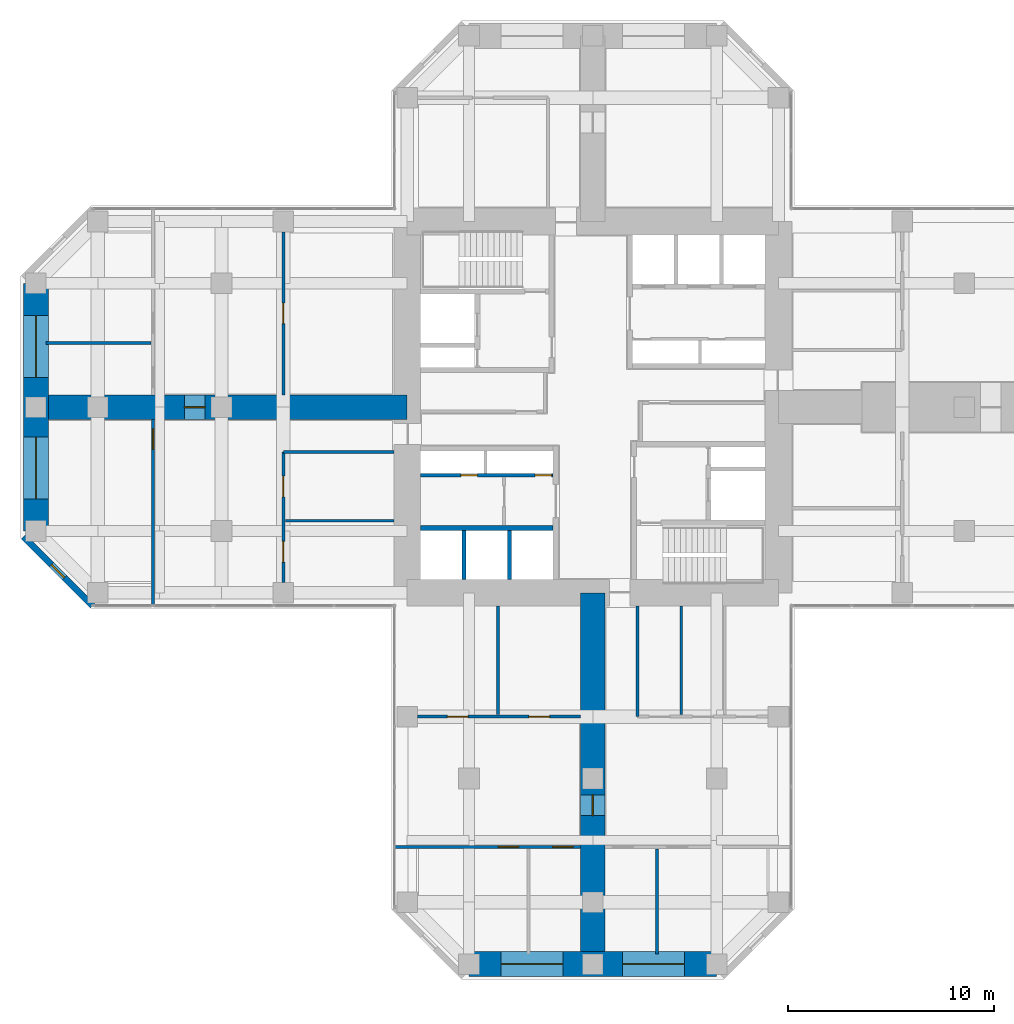
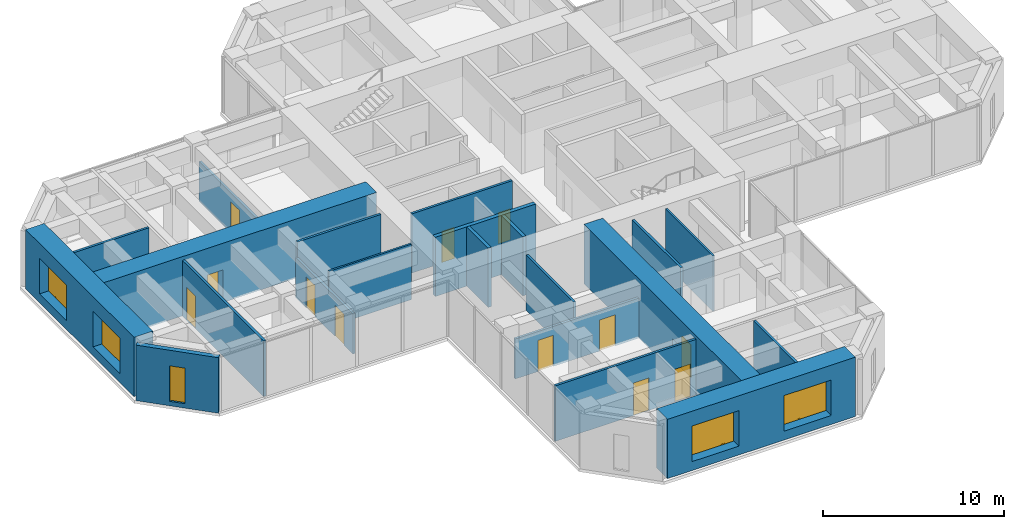
# One storey, part 8 of 13: 21 walls, 12 doors, 5 windows, 17 openings.
"""IFC4 building model written with IfcOpenShell, lengths in metres."""

from ifc_helpers import new_model, si_unit, direction, frame, frame_2d, origin, place, context, subcontext, project, spatial, rectangle, hollow_rectangle, extrude, material, layer, layer_set, constituent, constituent_set, type_object, element, fill, save


model = new_model("IFC4")

# Units and contexts
model_context = context("Model", 3, precision=1e-05, world=origin(), true_north=direction((0.0, 1.0)))
body_context = subcontext(model_context, "Body", "Model", "MODEL_VIEW")
ifc_project = project(units=[si_unit("LENGTHUNIT", "METRE"), si_unit("AREAUNIT", "SQUARE_METRE"), si_unit("VOLUMEUNIT", "CUBIC_METRE"), si_unit("PLANEANGLEUNIT", "RADIAN"), si_unit("MASSUNIT", "GRAM", prefix="KILO")], contexts=[model_context])

# Site, building, storey
site_placement = place(None, origin())
site = spatial("IfcSite", under=ifc_project, at=site_placement, CompositionType="ELEMENT")
building_placement = place(site_placement, origin())
building = spatial("IfcBuilding", under=site, at=building_placement, Name="Torre Cruceta", CompositionType="ELEMENT")
storey_placement = place(building_placement, frame((0.0, 0.0, 160.5)))
storey = spatial("IfcBuildingStorey", under=building, at=storey_placement, Name="L39", CompositionType="ELEMENT", Elevation=160.5)

# Wall
ifc_material_1 = material(Name="Concrete G60 (fck 60 MPa)", Category="concrete")
ifc_layer_1 = layer(ifc_material_1, 0.25)
ifc_layer_set_1 = layer_set([ifc_layer_1], Name="Concrete G60 (fck 60 MPa)")
wall_type_1 = type_object("IfcWallType", Name="CORE INNER WALL 250 G60", PredefinedType="SHEAR", material=ifc_layer_set_1)
wall_1_placement = place(storey_placement, frame((-1.925048828125, -5.85009765625, 0.0), z_axis=(0.0, 0.0, 1.0), x_axis=(-1.0, 0.0, 0.0)))
element("IfcWall", 1, at=wall_1_placement, inside=storey, type_object=wall_type_1, Name="CW4 L39 SW-LV", PredefinedType="SHEAR", context=body_context, shape_type="SweptSolid", body=[
    extrude(rectangle(XDim=6.425048828125, YDim=0.25, at=frame_2d((3.21240234375, 0.0))), origin(), (0.0, 0.0, 1.0), 4.0),
])

# Wall, opening, window
ifc_material_2 = material(Name="Concrete G30 (fck 30 MPa)", Category="concrete")
ifc_layer_2 = layer(ifc_material_2, 0.300048828125)
ifc_layer_set_2 = layer_set([ifc_layer_2], Name="Concrete G30 (fck 30 MPa)")
wall_type_2 = type_object("IfcWallType", Name="EXPOSED CONCRETE FACADE WALL 300", PredefinedType="SOLIDWALL", material=ifc_layer_set_2)
wall_2_placement = place(storey_placement, frame((-27.60009765625, -6.27685546875, 0.0), z_axis=(0.0, 0.0, 1.0), x_axis=(0.707106781187, -0.707106781187, 0.0)))
wall_2 = element("IfcWall", 2, at=wall_2_placement, inside=storey, type_object=wall_type_2, Name="EW1 facade wall L39 W chamfer 13", PredefinedType="SOLIDWALL", context=body_context, shape_type="SweptSolid", body=[
    extrude(rectangle(XDim=4.72802734375, YDim=0.300048828125, at=frame_2d((2.364013671875, 0.0))), origin(), (0.0, 0.0, 1.0), 3.75),
])
opening_1_placement = place(wall_2_placement, frame((1.9140625, 0.0, 0.300048828125)))
opening_1 = element("IfcOpeningElement", 3, at=opening_1_placement, cuts=wall_2, Name="Opening WN5", PredefinedType="OPENING", context=body_context, shape_type="SweptSolid", body=[
    extrude(rectangle(XDim=0.89990234375, YDim=2.39990234375, at=frame_2d((0.449951171875, 1.199951171875))), frame((0.0, 0.159912109375, 0.0), z_axis=(0.0, -1.0, 0.0), x_axis=(1.0, 0.0, 0.0)), (0.0, 0.0, 1.0), 0.320068359375),
])
ifc_material_3 = material(Name="Aluminium window frame", Category="aluminium")
ifc_constituent_1 = constituent(ifc_material_3, Name="Frame")
ifc_material_4 = material(Name="Laminated insulating glass unit, low-iron clear", Category="glass")
ifc_constituent_2 = constituent(ifc_material_4, Name="Glazing")
ifc_constituent_set_1 = constituent_set(constituents=[ifc_constituent_1, ifc_constituent_2], Name="Aluminium window")
window_type_1 = type_object("IfcWindowType", Name="CHAMFER SLOT WINDOW 900X2400", PartitioningType="SINGLE_PANEL", PredefinedType="WINDOW", material=ifc_constituent_set_1)
window_1_placement = place(opening_1_placement, origin())
window_1 = element("IfcWindow", 4, at=window_1_placement, inside=storey, type_object=window_type_1, Name="WN5 L39 W 1", OverallHeight=2.39990234375, OverallWidth=0.89990234375, PartitioningType="SINGLE_PANEL", PredefinedType="WINDOW", context=body_context, shape_type="SweptSolid", body=[
    extrude(hollow_rectangle(XDim=0.89990234375, YDim=2.39990234375, WallThickness=0.06005859375, at=frame_2d((0.449951171875, 1.199951171875))), frame((0.0, 0.030029296875, 0.0), z_axis=(0.0, -1.0, 0.0), x_axis=(1.0, 0.0, 0.0)), (0.0, 0.0, 1.0), 0.06005859375),
    extrude(rectangle(XDim=0.77880859375, YDim=2.27880859375, at=frame_2d((0.449951171875, 1.199951171875))), frame((0.0, 0.030029296875, 0.0), z_axis=(0.0, -1.0, 0.0), x_axis=(1.0, 0.0, 0.0)), (0.0, 0.0, 1.0), 0.06005859375),
])
fill(opening_1, window_1)

# Walls
ifc_material_5 = material(Name="Concrete G35 (fck 35 MPa)", Category="concrete")
ifc_layer_3 = layer(ifc_material_5, 0.199951171875)
ifc_layer_set_3 = layer_set([ifc_layer_3], Name="Concrete G35 (fck 35 MPa)")
wall_type_3 = type_object("IfcWallType", Name="LIFT SHAFT WALL 200", PredefinedType="PARTITIONING", material=ifc_layer_set_3)
for number, where, z_axis, x_axis, name in (
    (5, (-4.033447265625, -5.97509765625, 0.0), (0.0, 0.0, 1.0), (0.0, -1.0, 0.0), "SW1 L39 SW-LS1"),
    (6, (-6.24169921875, -5.97509765625, 0.0), (0.0, 0.0, 1.0), (0.0, -1.0, 0.0), "SW1 L39 SW-LS2"),
):
    element("IfcWall", number, at=place(storey_placement, frame(where, z_axis=z_axis, x_axis=x_axis)), inside=storey, type_object=wall_type_3, Name=name, PredefinedType="PARTITIONING", context=body_context, shape_type="SweptSolid", body=[
        extrude(rectangle(XDim=2.375, YDim=0.199951171875, at=frame_2d((1.1875, 0.0))), origin(), (0.0, 0.0, 1.0), 4.0),
    ])

# Wall, openings, windows
ifc_material_6 = material(Name="Concrete G60 (fck 60 MPa)", Category="concrete")
ifc_layer_4 = layer(ifc_material_6, 1.199951171875)
ifc_layer_set_4 = layer_set([ifc_layer_4], Name="Concrete G60 (fck 60 MPa)")
wall_type_4 = type_object("IfcWallType", Name="NOSE WALL 1200 G60", PredefinedType="SHEAR", material=ifc_layer_set_4)
wall_3_placement = place(storey_placement, frame((-6.0, -27.0, 0.0), z_axis=(0.0, 0.0, 1.0), x_axis=(1.0, 0.0, 0.0)))
wall_3 = element("IfcWall", 7, at=wall_3_placement, inside=storey, type_object=wall_type_4, Name="NW1 nose wall L39 S", PredefinedType="SHEAR", context=body_context, shape_type="SweptSolid", body=[
    extrude(rectangle(XDim=12.0, YDim=1.199951171875, at=frame_2d((6.0, 0.0))), origin(), (0.0, 0.0, 1.0), 4.0),
])
opening_2_placement = place(wall_3_placement, frame((1.550048828125, 0.0, 0.60009765625)))
opening_2 = element("IfcOpeningElement", 8, at=opening_2_placement, cuts=wall_3, Name="Opening WN6", PredefinedType="OPENING", context=body_context, shape_type="SweptSolid", body=[
    extrude(rectangle(XDim=3.0, YDim=2.39990234375, at=frame_2d((1.5, 1.199951171875))), frame((0.0, 0.60986328125, 0.0), z_axis=(0.0, -1.0, 0.0), x_axis=(1.0, 0.0, 0.0)), (0.0, 0.0, 1.0), 1.219970703125),
])
opening_3_placement = place(wall_3_placement, frame((7.449951171875, 0.0, 0.60009765625)))
opening_3 = element("IfcOpeningElement", 9, at=opening_3_placement, cuts=wall_3, Name="Opening WN6", PredefinedType="OPENING", context=body_context, shape_type="SweptSolid", body=[
    extrude(rectangle(XDim=3.0, YDim=2.39990234375, at=frame_2d((1.5, 1.199951171875))), frame((0.0, 0.60986328125, 0.0), z_axis=(0.0, -1.0, 0.0), x_axis=(1.0, 0.0, 0.0)), (0.0, 0.0, 1.0), 1.219970703125),
])
ifc_material_7 = material(Name="Aluminium window frame", Category="aluminium")
ifc_constituent_3 = constituent(ifc_material_7, Name="Frame")
ifc_material_8 = material(Name="Laminated insulating glass unit, low-iron clear", Category="glass")
ifc_constituent_4 = constituent(ifc_material_8, Name="Glazing")
ifc_constituent_set_2 = constituent_set(constituents=[ifc_constituent_3, ifc_constituent_4], Name="Aluminium window")
window_type_2 = type_object("IfcWindowType", Name="NOSE WALL WINDOW 3000X2400", PartitioningType="SINGLE_PANEL", PredefinedType="WINDOW", material=ifc_constituent_set_2)
window_2_placement = place(opening_2_placement, origin())
window_2 = element("IfcWindow", 10, at=window_2_placement, inside=storey, type_object=window_type_2, Name="WN6 L39 S 1", OverallHeight=2.39990234375, OverallWidth=3.0, PartitioningType="SINGLE_PANEL", PredefinedType="WINDOW", context=body_context, shape_type="SweptSolid", body=[
    extrude(hollow_rectangle(XDim=3.0, YDim=2.39990234375, WallThickness=0.06005859375, at=frame_2d((1.5, 1.199951171875))), frame((0.0, 0.030029296875, 0.0), z_axis=(0.0, -1.0, 0.0), x_axis=(1.0, 0.0, 0.0)), (0.0, 0.0, 1.0), 0.06005859375),
    extrude(rectangle(XDim=2.87890625, YDim=2.27880859375, at=frame_2d((1.5, 1.199951171875))), frame((0.0, 0.030029296875, 0.0), z_axis=(0.0, -1.0, 0.0), x_axis=(1.0, 0.0, 0.0)), (0.0, 0.0, 1.0), 0.06005859375),
])
fill(opening_2, window_2)
window_3_placement = place(opening_3_placement, origin())
window_3 = element("IfcWindow", 11, at=window_3_placement, inside=storey, type_object=window_type_2, Name="WN6 L39 S 2", OverallHeight=2.39990234375, OverallWidth=3.0, PartitioningType="SINGLE_PANEL", PredefinedType="WINDOW", context=body_context, shape_type="SweptSolid", body=[
    extrude(hollow_rectangle(XDim=3.0, YDim=2.39990234375, WallThickness=0.06005859375, at=frame_2d((1.5, 1.199951171875))), frame((0.0, 0.030029296875, 0.0), z_axis=(0.0, -1.0, 0.0), x_axis=(1.0, 0.0, 0.0)), (0.0, 0.0, 1.0), 0.06005859375),
    extrude(rectangle(XDim=2.87890625, YDim=2.27880859375, at=frame_2d((1.5, 1.199951171875))), frame((0.0, 0.030029296875, 0.0), z_axis=(0.0, -1.0, 0.0), x_axis=(1.0, 0.0, 0.0)), (0.0, 0.0, 1.0), 0.06005859375),
])
fill(opening_3, window_3)

wall_4_placement = place(storey_placement, frame((-27.0, 6.0, 0.0), z_axis=(0.0, 0.0, 1.0), x_axis=(0.0, -1.0, 0.0)))
wall_4 = element("IfcWall", 12, at=wall_4_placement, inside=storey, type_object=wall_type_4, Name="NW1 nose wall L39 W", PredefinedType="SHEAR", context=body_context, shape_type="SweptSolid", body=[
    extrude(rectangle(XDim=12.0, YDim=1.199951171875, at=frame_2d((6.0, 0.0))), origin(), (0.0, 0.0, 1.0), 4.0),
])
opening_4_placement = place(wall_4_placement, frame((1.550048828125, 0.0, 0.60009765625)))
opening_4 = element("IfcOpeningElement", 13, at=opening_4_placement, cuts=wall_4, Name="Opening WN6", PredefinedType="OPENING", context=body_context, shape_type="SweptSolid", body=[
    extrude(rectangle(XDim=3.0, YDim=2.39990234375, at=frame_2d((1.5, 1.199951171875))), frame((0.0, 0.60986328125, 0.0), z_axis=(0.0, -1.0, 0.0), x_axis=(1.0, 0.0, 0.0)), (0.0, 0.0, 1.0), 1.219970703125),
])
opening_5_placement = place(wall_4_placement, frame((7.449951171875, 0.0, 0.60009765625)))
opening_5 = element("IfcOpeningElement", 14, at=opening_5_placement, cuts=wall_4, Name="Opening WN6", PredefinedType="OPENING", context=body_context, shape_type="SweptSolid", body=[
    extrude(rectangle(XDim=3.0, YDim=2.39990234375, at=frame_2d((1.5, 1.199951171875))), frame((0.0, 0.60986328125, 0.0), z_axis=(0.0, -1.0, 0.0), x_axis=(1.0, 0.0, 0.0)), (0.0, 0.0, 1.0), 1.219970703125),
])
window_4_placement = place(opening_4_placement, origin())
window_4 = element("IfcWindow", 15, at=window_4_placement, inside=storey, type_object=window_type_2, Name="WN6 L39 W 1", OverallHeight=2.39990234375, OverallWidth=3.0, PartitioningType="SINGLE_PANEL", PredefinedType="WINDOW", context=body_context, shape_type="SweptSolid", body=[
    extrude(hollow_rectangle(XDim=3.0, YDim=2.39990234375, WallThickness=0.06005859375, at=frame_2d((1.5, 1.199951171875))), frame((0.0, 0.030029296875, 0.0), z_axis=(0.0, -1.0, 0.0), x_axis=(1.0, 0.0, 0.0)), (0.0, 0.0, 1.0), 0.06005859375),
    extrude(rectangle(XDim=2.87890625, YDim=2.27880859375, at=frame_2d((1.5, 1.199951171875))), frame((0.0, 0.030029296875, 0.0), z_axis=(0.0, -1.0, 0.0), x_axis=(1.0, 0.0, 0.0)), (0.0, 0.0, 1.0), 0.06005859375),
])
fill(opening_4, window_4)
window_5_placement = place(opening_5_placement, origin())
window_5 = element("IfcWindow", 16, at=window_5_placement, inside=storey, type_object=window_type_2, Name="WN6 L39 W 2", OverallHeight=2.39990234375, OverallWidth=3.0, PartitioningType="SINGLE_PANEL", PredefinedType="WINDOW", context=body_context, shape_type="SweptSolid", body=[
    extrude(hollow_rectangle(XDim=3.0, YDim=2.39990234375, WallThickness=0.06005859375, at=frame_2d((1.5, 1.199951171875))), frame((0.0, 0.030029296875, 0.0), z_axis=(0.0, -1.0, 0.0), x_axis=(1.0, 0.0, 0.0)), (0.0, 0.0, 1.0), 0.06005859375),
    extrude(rectangle(XDim=2.87890625, YDim=2.27880859375, at=frame_2d((1.5, 1.199951171875))), frame((0.0, 0.030029296875, 0.0), z_axis=(0.0, -1.0, 0.0), x_axis=(1.0, 0.0, 0.0)), (0.0, 0.0, 1.0), 0.06005859375),
])
fill(opening_5, window_5)

# Wall
ifc_material_9 = material(Name="Plasterboard on steel studs", Category="steel")
ifc_layer_5 = layer(ifc_material_9, 0.14990234375)
ifc_layer_set_5 = layer_set([ifc_layer_5], Name="Plasterboard on steel studs")
wall_type_5 = type_object("IfcWallType", Name="PARTITION 150", PredefinedType="PARTITIONING", material=ifc_layer_set_5)
wall_5_placement = place(storey_placement, frame((2.175048828125, -9.64990234375, 0.0), z_axis=(0.0, 0.0, 1.0), x_axis=(0.0, -1.0, 0.0)))
element("IfcWall", 17, at=wall_5_placement, inside=storey, type_object=wall_type_5, Name="PT1 L39-S-BSL", PredefinedType="PARTITIONING", context=body_context, shape_type="SweptSolid", body=[
    extrude(rectangle(XDim=5.35009765625, YDim=0.14990234375, at=frame_2d((2.675048828125, 0.0))), origin(), (0.0, 0.0, 1.0), 3.75),
])

# Wall, openings, doors
wall_6_placement = place(storey_placement, frame((-8.5, -15.0, 0.0), z_axis=(0.0, 0.0, 1.0), x_axis=(1.0, 0.0, 0.0)))
wall_6 = element("IfcWall", 18, at=wall_6_placement, inside=storey, type_object=wall_type_5, Name="PT1 L39-S-BFR", PredefinedType="PARTITIONING", context=body_context, shape_type="SweptSolid", body=[
    extrude(rectangle(XDim=7.89990234375, YDim=0.14990234375, at=frame_2d((3.949951171875, 0.0))), origin(), (0.0, 0.0, 1.0), 2.699951171875),
])
opening_6_placement = place(wall_6_placement, frame((1.449951171875, 0.0, 0.0)))
opening_6 = element("IfcOpeningElement", 19, at=opening_6_placement, cuts=wall_6, Name="Opening D3", PredefinedType="OPENING", context=body_context, shape_type="SweptSolid", body=[
    extrude(rectangle(XDim=1.0, YDim=2.10009765625, at=frame_2d((0.5, 1.050048828125))), frame((0.0, 0.0849609375, 0.0), z_axis=(0.0, -1.0, 0.0), x_axis=(1.0, 0.0, 0.0)), (0.0, 0.0, 1.0), 0.169921875),
])
opening_7_placement = place(wall_6_placement, frame((5.39990234375, 0.0, 0.0)))
opening_7 = element("IfcOpeningElement", 20, at=opening_7_placement, cuts=wall_6, Name="Opening D3", PredefinedType="OPENING", context=body_context, shape_type="SweptSolid", body=[
    extrude(rectangle(XDim=1.0, YDim=2.10009765625, at=frame_2d((0.5, 1.050048828125))), frame((0.0, 0.0849609375, 0.0), z_axis=(0.0, -1.0, 0.0), x_axis=(1.0, 0.0, 0.0)), (0.0, 0.0, 1.0), 0.169921875),
])
ifc_material_10 = material(Name="Steel DX51D", Category="steel")
ifc_constituent_5 = constituent(ifc_material_10, Name="Leaf and frame")
ifc_material_11 = material(Name="Polyester powder coating", Category="paint")
ifc_constituent_6 = constituent(ifc_material_11, Name="Finish")
ifc_constituent_set_3 = constituent_set(constituents=[ifc_constituent_5, ifc_constituent_6], Name="Steel fire door")
door_type_1 = type_object("IfcDoorType", Name="FIRE DOOR 1000X2100", OperationType="SINGLE_SWING_LEFT", PredefinedType="DOOR", material=ifc_constituent_set_3)
door_1_placement = place(opening_6_placement, origin())
door_1 = element("IfcDoor", 21, at=door_1_placement, inside=storey, type_object=door_type_1, Name="D3 L39-S-BFR-D1", OperationType="SINGLE_SWING_RIGHT", OverallHeight=2.10009765625, OverallWidth=1.0, PredefinedType="DOOR", context=body_context, shape_type="SweptSolid", body=[
    extrude(rectangle(XDim=1.0, YDim=2.10009765625, at=frame_2d((0.5, 1.050048828125))), frame((0.0, 0.02490234375, 0.0), z_axis=(0.0, -1.0, 0.0), x_axis=(1.0, 0.0, 0.0)), (0.0, 0.0, 1.0), 0.050048828125),
])
fill(opening_6, door_1)
door_2_placement = place(opening_7_placement, origin())
door_2 = element("IfcDoor", 22, at=door_2_placement, inside=storey, type_object=door_type_1, Name="D3 L39-S-BFR-D2", OperationType="SINGLE_SWING_LEFT", OverallHeight=2.10009765625, OverallWidth=1.0, PredefinedType="DOOR", context=body_context, shape_type="SweptSolid", body=[
    extrude(rectangle(XDim=1.0, YDim=2.10009765625, at=frame_2d((0.5, 1.050048828125))), frame((0.0, 0.02490234375, 0.0), z_axis=(0.0, -1.0, 0.0), x_axis=(1.0, 0.0, 0.0)), (0.0, 0.0, 1.0), 0.050048828125),
])
fill(opening_7, door_2)

# Walls
wall_7_placement = place(storey_placement, frame((-4.60009765625, -9.64990234375, 0.0), z_axis=(0.0, 0.0, 1.0), x_axis=(0.0, -1.0, 0.0)))
element("IfcWall", 23, at=wall_7_placement, inside=storey, type_object=wall_type_5, Name="PT1 L39-S-BDR1", PredefinedType="PARTITIONING", context=body_context, shape_type="SweptSolid", body=[
    extrude(rectangle(XDim=5.25, YDim=0.14990234375, at=frame_2d((2.625, 0.0))), origin(), (0.0, 0.0, 1.0), 3.75),
])
wall_8_placement = place(storey_placement, frame((3.117919921875, -21.419921875, 0.0), z_axis=(0.0, 0.0, 1.0), x_axis=(0.0, -1.0, 0.0)))
element("IfcWall", 24, at=wall_8_placement, inside=storey, type_object=wall_type_5, Name="PT1 L39-S-TDL", PredefinedType="PARTITIONING", context=body_context, shape_type="SweptSolid", body=[
    extrude(rectangle(XDim=5.080078125, YDim=0.14990234375, at=frame_2d((2.5400390625, 0.0))), origin(), (0.0, 0.0, 1.0), 3.75),
])

# Wall, openings, doors
wall_9_placement = place(storey_placement, frame((-9.580078125, -21.320068359375, 0.0), z_axis=(0.0, 0.0, 1.0), x_axis=(1.0, 0.0, 0.0)))
wall_9 = element("IfcWall", 25, at=wall_9_placement, inside=storey, type_object=wall_type_5, Name="PT1 L39-S-TWR", PredefinedType="PARTITIONING", context=body_context, shape_type="SweptSolid", body=[
    extrude(rectangle(XDim=8.97998046875, YDim=0.14990234375, at=frame_2d((4.489990234375, 0.0))), origin(), (0.0, 0.0, 1.0), 3.75),
])
opening_8_placement = place(wall_9_placement, frame((4.987060546875, 0.0, 0.0)))
opening_8 = element("IfcOpeningElement", 26, at=opening_8_placement, cuts=wall_9, Name="Opening D14", PredefinedType="OPENING", context=body_context, shape_type="SweptSolid", body=[
    extrude(rectangle(XDim=1.0, YDim=2.199951171875, at=frame_2d((0.5, 1.10009765625))), frame((0.0, 0.0849609375, 0.0), z_axis=(0.0, -1.0, 0.0), x_axis=(1.0, 0.0, 0.0)), (0.0, 0.0, 1.0), 0.169921875),
])
opening_9_placement = place(wall_9_placement, frame((7.6298828125, 0.0, 0.0)))
opening_9 = element("IfcOpeningElement", 27, at=opening_9_placement, cuts=wall_9, Name="Opening D14", PredefinedType="OPENING", context=body_context, shape_type="SweptSolid", body=[
    extrude(rectangle(XDim=1.0, YDim=2.199951171875, at=frame_2d((0.5, 1.10009765625))), frame((0.0, 0.0849609375, 0.0), z_axis=(0.0, -1.0, 0.0), x_axis=(1.0, 0.0, 0.0)), (0.0, 0.0, 1.0), 0.169921875),
])
ifc_material_12 = material(Name="Steel DX51D", Category="steel")
ifc_constituent_7 = constituent(ifc_material_12, Name="Leaf and frame")
ifc_material_13 = material(Name="Polyester powder coating", Category="paint")
ifc_constituent_8 = constituent(ifc_material_13, Name="Finish")
ifc_material_14 = material(Name="Fire-resisting glass", Category="glass")
ifc_constituent_9 = constituent(ifc_material_14, Name="Vision panel")
ifc_constituent_set_4 = constituent_set(constituents=[ifc_constituent_7, ifc_constituent_8, ifc_constituent_9], Name="Steel fire door with vision panel")
door_type_2 = type_object("IfcDoorType", Name="FIRE DOOR VISION PANEL 1000X2200", OperationType="SINGLE_SWING_RIGHT", PredefinedType="DOOR", material=ifc_constituent_set_4)
door_3_placement = place(opening_8_placement, frame((1.0, 0.0, 0.0), z_axis=(0.0, 0.0, 1.0), x_axis=(-1.0, 0.0, 0.0)))
door_3 = element("IfcDoor", 28, at=door_3_placement, inside=storey, type_object=door_type_2, Name="D14 L39-S-TWR-D1", OperationType="SINGLE_SWING_LEFT", OverallHeight=2.199951171875, OverallWidth=1.0, PredefinedType="DOOR", context=body_context, shape_type="SweptSolid", body=[
    extrude(rectangle(XDim=1.0, YDim=2.199951171875, at=frame_2d((0.5, 1.10009765625))), frame((0.0, 0.025146484375, 0.0), z_axis=(0.0, -1.0, 0.0), x_axis=(1.0, 0.0, 0.0)), (0.0, 0.0, 1.0), 0.050048828125),
])
fill(opening_8, door_3)
door_4_placement = place(opening_9_placement, frame((1.0, 0.0, 0.0), z_axis=(0.0, 0.0, 1.0), x_axis=(-1.0, 0.0, 0.0)))
door_4 = element("IfcDoor", 29, at=door_4_placement, inside=storey, type_object=door_type_2, Name="D14 L39-S-TWR-D2", OperationType="SINGLE_SWING_LEFT", OverallHeight=2.199951171875, OverallWidth=1.0, PredefinedType="DOOR", context=body_context, shape_type="SweptSolid", body=[
    extrude(rectangle(XDim=1.0, YDim=2.199951171875, at=frame_2d((0.5, 1.10009765625))), frame((0.0, 0.025146484375, 0.0), z_axis=(0.0, -1.0, 0.0), x_axis=(1.0, 0.0, 0.0)), (0.0, 0.0, 1.0), 0.050048828125),
])
fill(opening_9, door_4)

wall_10_placement = place(storey_placement, frame((-15.0, -2.175048828125, 0.0), z_axis=(0.0, 0.0, 1.0), x_axis=(0.0, -1.0, 0.0)))
wall_10 = element("IfcWall", 30, at=wall_10_placement, inside=storey, type_object=wall_type_5, Name="PT1 L39-W-BFL", PredefinedType="PARTITIONING", context=body_context, shape_type="SweptSolid", body=[
    extrude(rectangle(XDim=6.324951171875, YDim=0.14990234375, at=frame_2d((3.16259765625, 0.0))), origin(), (0.0, 0.0, 1.0), 2.699951171875),
])
opening_10_placement = place(wall_10_placement, frame((1.169189453125, 0.0, 0.0)))
opening_10 = element("IfcOpeningElement", 31, at=opening_10_placement, cuts=wall_10, Name="Opening D3", PredefinedType="OPENING", context=body_context, shape_type="SweptSolid", body=[
    extrude(rectangle(XDim=1.0, YDim=2.10009765625, at=frame_2d((0.5, 1.050048828125))), frame((0.0, 0.0849609375, 0.0), z_axis=(0.0, -1.0, 0.0), x_axis=(1.0, 0.0, 0.0)), (0.0, 0.0, 1.0), 0.169921875),
])
opening_11_placement = place(wall_10_placement, frame((4.33154296875, 0.0, 0.0)))
opening_11 = element("IfcOpeningElement", 32, at=opening_11_placement, cuts=wall_10, Name="Opening D3", PredefinedType="OPENING", context=body_context, shape_type="SweptSolid", body=[
    extrude(rectangle(XDim=1.0, YDim=2.10009765625, at=frame_2d((0.5, 1.050048828125))), frame((0.0, 0.0849609375, 0.0), z_axis=(0.0, -1.0, 0.0), x_axis=(1.0, 0.0, 0.0)), (0.0, 0.0, 1.0), 0.169921875),
])
door_5_placement = place(opening_10_placement, origin())
door_5 = element("IfcDoor", 33, at=door_5_placement, inside=storey, type_object=door_type_1, Name="D3 L39-W-BFL-D1", OperationType="SINGLE_SWING_LEFT", OverallHeight=2.10009765625, OverallWidth=1.0, PredefinedType="DOOR", context=body_context, shape_type="SweptSolid", body=[
    extrude(rectangle(XDim=1.0, YDim=2.10009765625, at=frame_2d((0.5, 1.050048828125))), frame((0.0, 0.02490234375, 0.0), z_axis=(0.0, -1.0, 0.0), x_axis=(1.0, 0.0, 0.0)), (0.0, 0.0, 1.0), 0.050048828125),
])
fill(opening_10, door_5)
door_6_placement = place(opening_11_placement, origin())
door_6 = element("IfcDoor", 34, at=door_6_placement, inside=storey, type_object=door_type_1, Name="D3 L39-W-BFL-D2", OperationType="SINGLE_SWING_LEFT", OverallHeight=2.10009765625, OverallWidth=1.0, PredefinedType="DOOR", context=body_context, shape_type="SweptSolid", body=[
    extrude(rectangle(XDim=1.0, YDim=2.10009765625, at=frame_2d((0.5, 1.050048828125))), frame((0.0, 0.02490234375, 0.0), z_axis=(0.0, -1.0, 0.0), x_axis=(1.0, 0.0, 0.0)), (0.0, 0.0, 1.0), 0.050048828125),
])
fill(opening_11, door_6)

# Wall
wall_11_placement = place(storey_placement, frame((-9.64990234375, -2.175048828125, 0.0), z_axis=(0.0, 0.0, 1.0), x_axis=(-1.0, 0.0, 0.0)))
element("IfcWall", 35, at=wall_11_placement, inside=storey, type_object=wall_type_5, Name="PT1 L39-W-BSL", PredefinedType="PARTITIONING", context=body_context, shape_type="SweptSolid", body=[
    extrude(rectangle(XDim=5.35009765625, YDim=0.14990234375, at=frame_2d((2.675048828125, 0.0))), origin(), (0.0, 0.0, 1.0), 3.75),
])

# Wall, opening, door
wall_12_placement = place(storey_placement, frame((-15.0, 8.5, 0.0), z_axis=(0.0, 0.0, 1.0), x_axis=(0.0, -1.0, 0.0)))
wall_12 = element("IfcWall", 36, at=wall_12_placement, inside=storey, type_object=wall_type_5, Name="PT1 L39-W-BFR", PredefinedType="PARTITIONING", context=body_context, shape_type="SweptSolid", body=[
    extrude(rectangle(XDim=7.89990234375, YDim=0.14990234375, at=frame_2d((3.949951171875, 0.0))), origin(), (0.0, 0.0, 1.0), 2.699951171875),
])
opening_12_placement = place(wall_12_placement, frame((3.449951171875, 0.0, 0.0)))
opening_12 = element("IfcOpeningElement", 37, at=opening_12_placement, cuts=wall_12, Name="Opening D3", PredefinedType="OPENING", context=body_context, shape_type="SweptSolid", body=[
    extrude(rectangle(XDim=1.0, YDim=2.10009765625, at=frame_2d((0.5, 1.050048828125))), frame((0.0, 0.0849609375, 0.0), z_axis=(0.0, -1.0, 0.0), x_axis=(1.0, 0.0, 0.0)), (0.0, 0.0, 1.0), 0.169921875),
])
door_7_placement = place(opening_12_placement, origin())
door_7 = element("IfcDoor", 38, at=door_7_placement, inside=storey, type_object=door_type_1, Name="D3 L39-W-BFR-D1", OperationType="SINGLE_SWING_RIGHT", OverallHeight=2.10009765625, OverallWidth=1.0, PredefinedType="DOOR", context=body_context, shape_type="SweptSolid", body=[
    extrude(rectangle(XDim=1.0, YDim=2.10009765625, at=frame_2d((0.5, 1.050048828125))), frame((0.0, 0.02490234375, 0.0), z_axis=(0.0, -1.0, 0.0), x_axis=(1.0, 0.0, 0.0)), (0.0, 0.0, 1.0), 0.050048828125),
])
fill(opening_12, door_7)

wall_13_placement = place(storey_placement, frame((-21.320068359375, -0.60009765625, 0.0), z_axis=(0.0, 0.0, 1.0), x_axis=(0.0, -1.0, 0.0)))
wall_13 = element("IfcWall", 39, at=wall_13_placement, inside=storey, type_object=wall_type_5, Name="PT1 L39-W-TWL", PredefinedType="PARTITIONING", context=body_context, shape_type="SweptSolid", body=[
    extrude(rectangle(XDim=8.97998046875, YDim=0.14990234375, at=frame_2d((4.489990234375, 0.0))), origin(), (0.0, 0.0, 1.0), 3.75),
])
opening_13_placement = place(wall_13_placement, frame((0.449951171875, 0.0, 0.0)))
opening_13 = element("IfcOpeningElement", 40, at=opening_13_placement, cuts=wall_13, Name="Opening D14", PredefinedType="OPENING", context=body_context, shape_type="SweptSolid", body=[
    extrude(rectangle(XDim=1.0, YDim=2.199951171875, at=frame_2d((0.5, 1.10009765625))), frame((0.0, 0.0849609375, 0.0), z_axis=(0.0, -1.0, 0.0), x_axis=(1.0, 0.0, 0.0)), (0.0, 0.0, 1.0), 0.169921875),
])
door_8_placement = place(opening_13_placement, frame((1.0, 0.0, 0.0), z_axis=(0.0, 0.0, 1.0), x_axis=(-1.0, 0.0, 0.0)))
door_8 = element("IfcDoor", 41, at=door_8_placement, inside=storey, type_object=door_type_2, Name="D14 L39-W-TWL-D1", OperationType="SINGLE_SWING_RIGHT", OverallHeight=2.199951171875, OverallWidth=1.0, PredefinedType="DOOR", context=body_context, shape_type="SweptSolid", body=[
    extrude(rectangle(XDim=1.0, YDim=2.199951171875, at=frame_2d((0.5, 1.10009765625))), frame((0.0, 0.025146484375, 0.0), z_axis=(0.0, -1.0, 0.0), x_axis=(1.0, 0.0, 0.0)), (0.0, 0.0, 1.0), 0.050048828125),
])
fill(opening_13, door_8)

# Wall
wall_14_placement = place(storey_placement, frame((-21.419921875, 3.117919921875, 0.0), z_axis=(0.0, 0.0, 1.0), x_axis=(-1.0, 0.0, 0.0)))
element("IfcWall", 42, at=wall_14_placement, inside=storey, type_object=wall_type_5, Name="PT1 L39-W-TDR", PredefinedType="PARTITIONING", context=body_context, shape_type="SweptSolid", body=[
    extrude(rectangle(XDim=5.080078125, YDim=0.14990234375, at=frame_2d((2.5400390625, 0.0))), origin(), (0.0, 0.0, 1.0), 3.75),
])

# Wall, openings, doors
ifc_material_15 = material(Name="Concrete block masonry", Category="masonry")
ifc_layer_6 = layer(ifc_material_15, 0.14990234375)
ifc_layer_set_6 = layer_set([ifc_layer_6], Name="Concrete block masonry")
wall_type_6 = type_object("IfcWallType", Name="RISER WALL 150", PredefinedType="PARTITIONING", material=ifc_layer_set_6)
wall_15_placement = place(storey_placement, frame((-1.925048828125, -3.300048828125, 0.0), z_axis=(0.0, 0.0, 1.0), x_axis=(-1.0, 0.0, 0.0)))
wall_15 = element("IfcWall", 43, at=wall_15_placement, inside=storey, type_object=wall_type_6, Name="SW7 L39 SW-RV", PredefinedType="PARTITIONING", context=body_context, shape_type="SweptSolid", body=[
    extrude(rectangle(XDim=6.425048828125, YDim=0.14990234375, at=frame_2d((3.21240234375, 0.0))), origin(), (0.0, 0.0, 1.0), 4.0),
])
opening_14_placement = place(wall_15_placement, frame((0.074951171875, 0.0, 0.0)))
opening_14 = element("IfcOpeningElement", 44, at=opening_14_placement, cuts=wall_15, Name="Opening D5", PredefinedType="OPENING", context=body_context, shape_type="SweptSolid", body=[
    extrude(rectangle(XDim=0.800048828125, YDim=2.10009765625, at=frame_2d((0.39990234375, 1.050048828125))), frame((0.0, 0.0849609375, 0.0), z_axis=(0.0, -1.0, 0.0), x_axis=(1.0, 0.0, 0.0)), (0.0, 0.0, 1.0), 0.169921875),
])
opening_15_placement = place(wall_15_placement, frame((3.675048828125, 0.0, 0.0)))
opening_15 = element("IfcOpeningElement", 45, at=opening_15_placement, cuts=wall_15, Name="Opening D5", PredefinedType="OPENING", context=body_context, shape_type="SweptSolid", body=[
    extrude(rectangle(XDim=0.800048828125, YDim=2.10009765625, at=frame_2d((0.39990234375, 1.050048828125))), frame((0.0, 0.0849609375, 0.0), z_axis=(0.0, -1.0, 0.0), x_axis=(1.0, 0.0, 0.0)), (0.0, 0.0, 1.0), 0.169921875),
])
ifc_material_16 = material(Name="Steel DX51D", Category="steel")
ifc_constituent_10 = constituent(ifc_material_16, Name="Leaf and frame")
ifc_material_17 = material(Name="Polyester powder coating", Category="paint")
ifc_constituent_11 = constituent(ifc_material_17, Name="Finish")
ifc_constituent_set_5 = constituent_set(constituents=[ifc_constituent_10, ifc_constituent_11], Name="Steel fire door")
door_type_3 = type_object("IfcDoorType", Name="RISER ACCESS DOOR 800X2100", OperationType="SINGLE_SWING_LEFT", PredefinedType="DOOR", material=ifc_constituent_set_5)
door_9_placement = place(opening_14_placement, frame((0.800048828125, 0.0, 0.0), z_axis=(0.0, 0.0, 1.0), x_axis=(-1.0, 0.0, 0.0)))
door_9 = element("IfcDoor", 46, at=door_9_placement, inside=storey, type_object=door_type_3, Name="D5 L39 SW-RISER1", OperationType="SINGLE_SWING_RIGHT", OverallHeight=2.10009765625, OverallWidth=0.800048828125, PredefinedType="DOOR", context=body_context, shape_type="SweptSolid", body=[
    extrude(rectangle(XDim=0.800048828125, YDim=2.10009765625, at=frame_2d((0.400146484375, 1.050048828125))), frame((0.0, 0.025146484375, 0.0), z_axis=(0.0, -1.0, 0.0), x_axis=(1.0, 0.0, 0.0)), (0.0, 0.0, 1.0), 0.050048828125),
])
fill(opening_14, door_9)
door_10_placement = place(opening_15_placement, frame((0.800048828125, 0.0, 0.0), z_axis=(0.0, 0.0, 1.0), x_axis=(-1.0, 0.0, 0.0)))
door_10 = element("IfcDoor", 47, at=door_10_placement, inside=storey, type_object=door_type_3, Name="D5 L39 SW-RISER2", OperationType="SINGLE_SWING_RIGHT", OverallHeight=2.10009765625, OverallWidth=0.800048828125, PredefinedType="DOOR", context=body_context, shape_type="SweptSolid", body=[
    extrude(rectangle(XDim=0.800048828125, YDim=2.10009765625, at=frame_2d((0.400146484375, 1.050048828125))), frame((0.0, 0.025146484375, 0.0), z_axis=(0.0, -1.0, 0.0), x_axis=(1.0, 0.0, 0.0)), (0.0, 0.0, 1.0), 0.050048828125),
])
fill(opening_15, door_10)

# Wall, opening, door
ifc_material_18 = material(Name="Concrete G60 (fck 60 MPa)", Category="concrete")
ifc_layer_7 = layer(ifc_material_18, 1.199951171875)
ifc_layer_set_7 = layer_set([ifc_layer_7], Name="Concrete G60 (fck 60 MPa)")
wall_type_7 = type_object("IfcWallType", Name="SPINE WALL 1200 G60", PredefinedType="SHEAR", material=ifc_layer_set_7)
wall_16_placement = place(storey_placement, frame((0.0, -9.0, 0.0), z_axis=(0.0, 0.0, 1.0), x_axis=(0.0, -1.0, 0.0)))
wall_16 = element("IfcWall", 48, at=wall_16_placement, inside=storey, type_object=wall_type_7, Name="SW3 spine wall L39 S", PredefinedType="SHEAR", context=body_context, shape_type="SweptSolid", body=[
    extrude(rectangle(XDim=18.0, YDim=1.199951171875, at=frame_2d((9.0, 0.0))), origin(), (0.0, 0.0, 1.0), 4.0),
])
opening_16_placement = place(wall_16_placement, frame((9.800048828125, 0.0, 0.0)))
opening_16 = element("IfcOpeningElement", 49, at=opening_16_placement, cuts=wall_16, Name="Opening D14", PredefinedType="OPENING", context=body_context, shape_type="SweptSolid", body=[
    extrude(rectangle(XDim=1.0, YDim=2.199951171875, at=frame_2d((0.5, 1.10009765625))), frame((0.0, 0.60986328125, 0.0), z_axis=(0.0, -1.0, 0.0), x_axis=(1.0, 0.0, 0.0)), (0.0, 0.0, 1.0), 1.219970703125),
])
door_11_placement = place(opening_16_placement, frame((1.0, 0.0, 0.0), z_axis=(0.0, 0.0, 1.0), x_axis=(-1.0, 0.0, 0.0)))
door_11 = element("IfcDoor", 50, at=door_11_placement, inside=storey, type_object=door_type_2, Name="D14 L39-S-SP1", OperationType="SINGLE_SWING_LEFT", OverallHeight=2.199951171875, OverallWidth=1.0, PredefinedType="DOOR", context=body_context, shape_type="SweptSolid", body=[
    extrude(rectangle(XDim=1.0, YDim=2.199951171875, at=frame_2d((0.5, 1.10009765625))), frame((0.0, 0.025146484375, 0.0), z_axis=(0.0, -1.0, 0.0), x_axis=(1.0, 0.0, 0.0)), (0.0, 0.0, 1.0), 0.050048828125),
])
fill(opening_16, door_11)

wall_17_placement = place(storey_placement, frame((-9.0, 0.0, 0.0), z_axis=(0.0, 0.0, 1.0), x_axis=(-1.0, 0.0, 0.0)))
wall_17 = element("IfcWall", 51, at=wall_17_placement, inside=storey, type_object=wall_type_7, Name="SW3 spine wall L39 W", PredefinedType="SHEAR", context=body_context, shape_type="SweptSolid", body=[
    extrude(rectangle(XDim=18.0, YDim=1.199951171875, at=frame_2d((9.0, 0.0))), origin(), (0.0, 0.0, 1.0), 4.0),
])
opening_17_placement = place(wall_17_placement, frame((9.800048828125, 0.0, 0.0)))
opening_17 = element("IfcOpeningElement", 52, at=opening_17_placement, cuts=wall_17, Name="Opening D14", PredefinedType="OPENING", context=body_context, shape_type="SweptSolid", body=[
    extrude(rectangle(XDim=1.0, YDim=2.199951171875, at=frame_2d((0.5, 1.10009765625))), frame((0.0, 0.60986328125, 0.0), z_axis=(0.0, -1.0, 0.0), x_axis=(1.0, 0.0, 0.0)), (0.0, 0.0, 1.0), 1.219970703125),
])
door_12_placement = place(opening_17_placement, frame((1.0, 0.0, 0.0), z_axis=(0.0, 0.0, 1.0), x_axis=(-1.0, 0.0, 0.0)))
door_12 = element("IfcDoor", 53, at=door_12_placement, inside=storey, type_object=door_type_2, Name="D14 L39-W-SP1", OperationType="SINGLE_SWING_LEFT", OverallHeight=2.199951171875, OverallWidth=1.0, PredefinedType="DOOR", context=body_context, shape_type="SweptSolid", body=[
    extrude(rectangle(XDim=1.0, YDim=2.199951171875, at=frame_2d((0.5, 1.10009765625))), frame((0.0, 0.025146484375, 0.0), z_axis=(0.0, -1.0, 0.0), x_axis=(1.0, 0.0, 0.0)), (0.0, 0.0, 1.0), 0.050048828125),
])
fill(opening_17, door_12)

# Walls
ifc_material_19 = material(Name="Plasterboard on steel studs", Category="steel")
ifc_layer_8 = layer(ifc_material_19, 0.1201171875)
ifc_layer_set_8 = layer_set([ifc_layer_8], Name="Plasterboard on steel studs")
wall_type_8 = type_object("IfcWallType", Name="WC PARTITION 120", PredefinedType="PLUMBINGWALL", material=ifc_layer_set_8)
for number, where, z_axis, x_axis, name in (
    (54, (4.283447265625, -9.64990234375, 0.0), (0.0, 0.0, 1.0), (0.0, -1.0, 0.0), "PT5 L39-S-BDL1"),
    (55, (-9.64990234375, -5.51318359375, 0.0), (0.0, 0.0, 1.0), (-1.0, 0.0, 0.0), "PT5 L39-W-BDL1"),
):
    element("IfcWall", number, at=place(storey_placement, frame(where, z_axis=z_axis, x_axis=x_axis)), inside=storey, type_object=wall_type_8, Name=name, PredefinedType="PLUMBINGWALL", context=body_context, shape_type="SweptSolid", body=[
        extrude(rectangle(XDim=5.25, YDim=0.1201171875, at=frame_2d((2.625, 0.0))), origin(), (0.0, 0.0, 1.0), 3.75),
    ])

save(model, "model.ifc")
